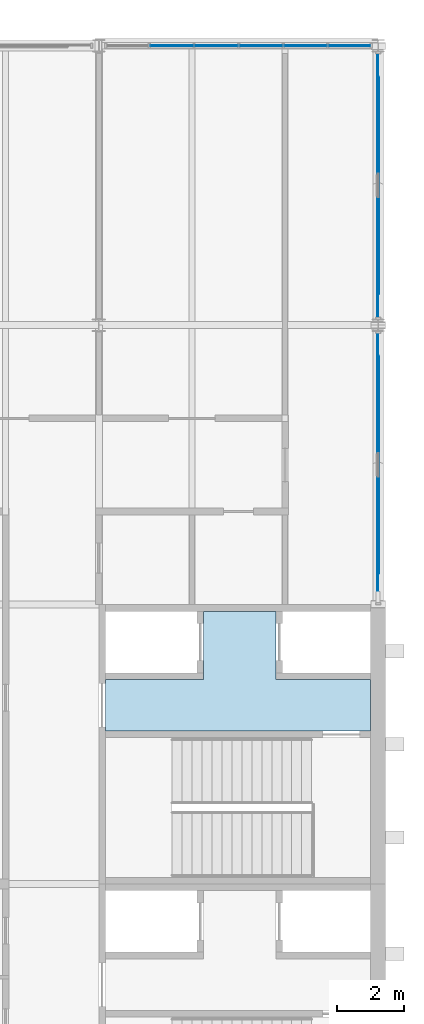
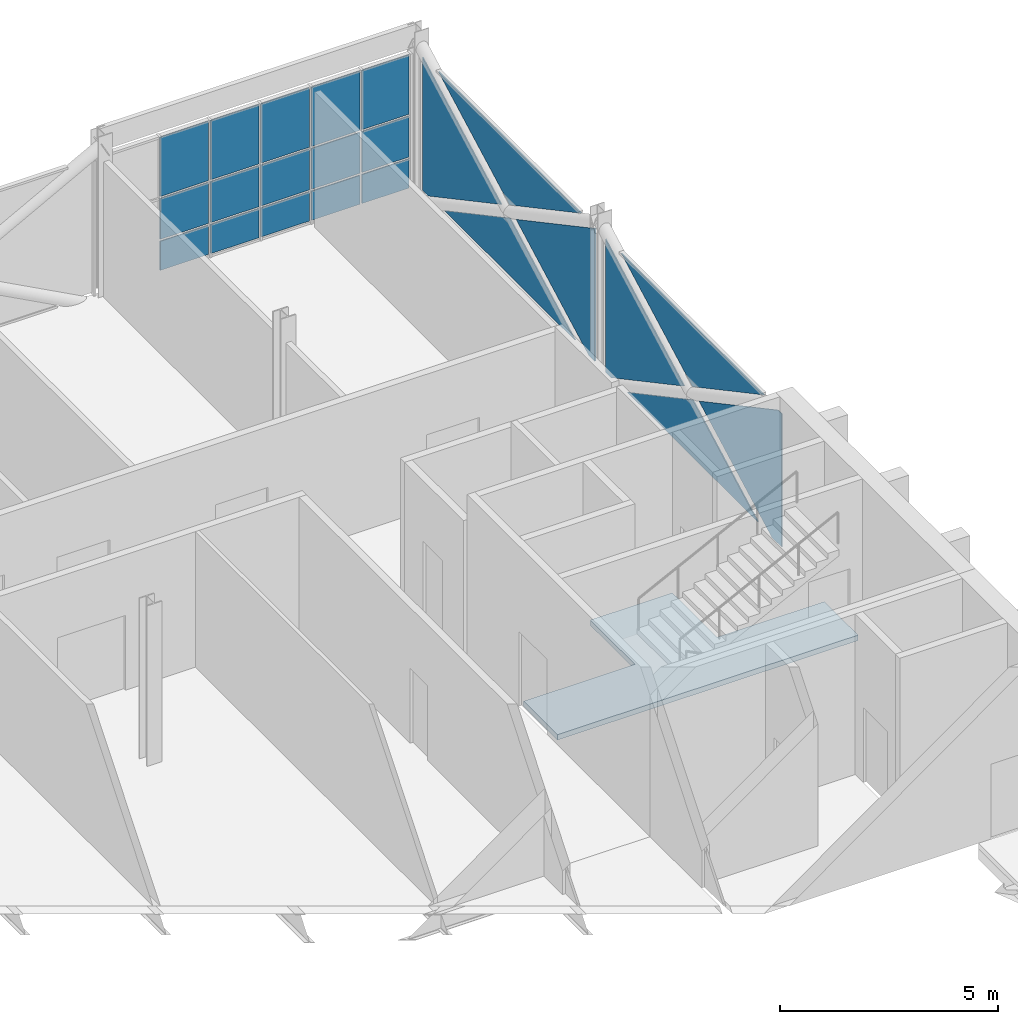
# One storey, part 81 of 129: 23 plates, 1 slab, 3 elements without a shape of their own.
"""IFC4 building model written with IfcOpenShell, lengths in metres."""

from ifc_helpers import new_model, si_unit, direction, frame, origin, origin_2d, place, context, subcontext, project, spatial, polyline, rectangle, outline, extrude, material, layer, layer_set, type_object, element, aggregate, save


model = new_model("IFC4")

# Units and contexts
model_context = context("Model", 3, precision=1e-05, world=origin(), true_north=direction((0.0, 1.0)))
body_context = subcontext(model_context, "Body", "Model", "MODEL_VIEW")
ifc_project = project(units=[si_unit("LENGTHUNIT", "METRE"), si_unit("AREAUNIT", "SQUARE_METRE"), si_unit("VOLUMEUNIT", "CUBIC_METRE"), si_unit("PLANEANGLEUNIT", "RADIAN"), si_unit("MASSUNIT", "GRAM", prefix="KILO")], contexts=[model_context])

# Site, building, storey
site_placement = place(None, origin())
site = spatial("IfcSite", under=ifc_project, at=site_placement, CompositionType="ELEMENT")
building_placement = place(site_placement, origin())
building = spatial("IfcBuilding", under=site, at=building_placement, Name="Ardhachandra Cancer Care Centre", CompositionType="ELEMENT")
storey_placement = place(building_placement, frame((0.0, 0.0, 4.5)))
storey = spatial("IfcBuildingStorey", under=building, at=storey_placement, Name="L01", CompositionType="ELEMENT", Elevation=4.5)

# Slab
ifc_material_1 = material(Name="Concrete M40", Category="concrete")
ifc_layer_1 = layer(ifc_material_1, 0.14990234375)
ifc_layer_set_1 = layer_set([ifc_layer_1], Name="Concrete M40")
slab_type = type_object("IfcSlabType", Name="Core floor slab 150", PredefinedType="FLOOR", material=ifc_layer_set_1)
slab_placement = place(storey_placement, frame((0.0, 0.0, -0.14990234375)))
element("IfcSlab", 1, at=slab_placement, inside=storey, type_object=slab_type, Name="Core floor slab K13 L01 2", PredefinedType="FLOOR", context=body_context, shape_type="SweptSolid", body=[
    extrude(outline(polyline([(139.949951171875, 88.0), (139.949951171875, 86.14990234375), (139.949951171875, 85.949951171875), (137.0, 85.949951171875), (137.0, 84.39990234375), (144.97509765625, 84.39990234375), (144.97509765625, 85.949951171875), (142.125, 85.949951171875), (142.125, 86.14990234375), (142.125, 88.0), (139.949951171875, 88.0)])), origin(), (0.0, 0.0, 1.0), 0.14990234375),
])

# Curtain wall, plates
ifc_material_2 = material(Name="Aluminium extrusion", Category="aluminium")
ifc_layer_2 = layer(ifc_material_2, 0.14990234375)
ifc_layer_set_2 = layer_set([ifc_layer_2], Name="Aluminium extrusion")
curtain_wall_type = type_object("IfcCurtainWallType", Name="Curtain wall run", PredefinedType="NOTDEFINED", material=ifc_layer_set_2)
curtain_wall_1_placement = place(storey_placement, origin())
curtain_wall_1 = element("IfcCurtainWall", 2, at=curtain_wall_1_placement, inside=storey, type_object=curtain_wall_type, Name="Curtain wall L01 e/0145200_0088200", PredefinedType="NOTDEFINED")
ifc_material_3 = material(Name="Low-iron double-glazed unit")
ifc_layer_3 = layer(ifc_material_3, 0.028076171875)
ifc_layer_set_3 = layer_set([ifc_layer_3], Name="Low-iron double-glazed unit")
plate_type_1 = type_object("IfcPlateType", Name="Curtain wall glazing 28", PredefinedType="CURTAIN_PANEL", material=ifc_layer_set_3)
plate_1_placement = place(storey_placement, frame((145.199951171875, 96.35791015625, 0.06005859375), z_axis=(-1.0, 0.0, 0.0), x_axis=(0.0, -1.0, 0.0)))
plate_1 = element("IfcPlate", 3, at=plate_1_placement, type_object=plate_type_1, Name="CW panel 1.1", PredefinedType="CURTAIN_PANEL", context=body_context, shape_type="SweptSolid", body=[
    extrude(outline(polyline([(0.0, 0.0), (0.271484375, 0.0), (3.61279296875, 1.7900390625), (0.0, 3.725341796875), (0.0, 0.0)])), origin(), (0.0, 0.0, 1.0), 0.028076171875),
])
plate_2_placement = place(storey_placement, frame((145.199951171875, 95.67626953125, 3.7900390625), z_axis=(-1.0, 0.0, 0.0), x_axis=(0.0, -0.881487781758, -0.472206830332)))
plate_2 = element("IfcPlate", 4, at=plate_2_placement, type_object=plate_type_1, Name="CW panel 1.1", PredefinedType="CURTAIN_PANEL", context=body_context, shape_type="SweptSolid", body=[
    extrude(outline(polyline([(0.0, 0.0), (3.716796875, 0.0), (5.77587890625, 3.09423828125), (0.0, 0.0)])), frame((0.0, 0.0, -0.028076171875)), (0.0, 0.0, 1.0), 0.028076171875),
])
plate_3_placement = place(storey_placement, frame((145.199951171875, 88.260009765625, 0.06005859375), z_axis=(-1.0, 0.0, 0.0), x_axis=(0.0, 0.0, 1.0)))
plate_3 = element("IfcPlate", 5, at=plate_3_placement, type_object=plate_type_1, Name="CW panel 1.1", PredefinedType="CURTAIN_PANEL", context=body_context, shape_type="SweptSolid", body=[
    extrude(outline(polyline([(0.0, 0.0), (3.72998046875, 0.0), (3.72998046875, 0.173583984375), (1.7900390625, 3.794921875), (0.0, 0.45361328125), (0.0, 0.0)])), origin(), (0.0, 0.0, 1.0), 0.028076171875),
])
plate_4_placement = place(storey_placement, frame((145.199951171875, 89.40380859375, 0.06005859375), z_axis=(-1.0, 0.0, 0.0), x_axis=(0.0, 0.88148851251, 0.472205466203)))
plate_4 = element("IfcPlate", 6, at=plate_4_placement, type_object=plate_type_1, Name="CW panel 1.1", PredefinedType="CURTAIN_PANEL", context=body_context, shape_type="SweptSolid", body=[
    extrude(outline(polyline([(0.0, 0.0), (3.39892578125, 0.0), (5.2822265625, 2.82958984375), (0.0, 0.0)])), frame((0.0, 0.0, -0.028076171875)), (0.0, 0.0, 1.0), 0.028076171875),
])
aggregate(curtain_wall_1, [plate_1, plate_2, plate_3, plate_4])

curtain_wall_2_placement = place(storey_placement, origin())
curtain_wall_2 = element("IfcCurtainWall", 7, at=curtain_wall_2_placement, inside=storey, type_object=curtain_wall_type, Name="Curtain wall L01 e/0145200_0096600", PredefinedType="NOTDEFINED")
plate_5_placement = place(storey_placement, frame((145.199951171875, 104.758056640625, 0.06005859375), z_axis=(-1.0, 0.0, 0.0), x_axis=(0.0, -1.0, 0.0)))
plate_5 = element("IfcPlate", 8, at=plate_5_placement, type_object=plate_type_1, Name="CW panel 1.1", PredefinedType="CURTAIN_PANEL", context=body_context, shape_type="SweptSolid", body=[
    extrude(outline(polyline([(0.0, 0.0), (0.271728515625, 0.0), (3.613037109375, 1.7900390625), (0.0, 3.725341796875), (0.0, 0.0)])), origin(), (0.0, 0.0, 1.0), 0.028076171875),
])
plate_6_placement = place(storey_placement, frame((145.199951171875, 104.076171875, 3.7900390625), z_axis=(-1.0, 0.0, 0.0), x_axis=(0.0, -0.881473134172, -0.472234172559)))
plate_6 = element("IfcPlate", 9, at=plate_6_placement, type_object=plate_type_1, Name="CW panel 1.1", PredefinedType="CURTAIN_PANEL", context=body_context, shape_type="SweptSolid", body=[
    extrude(outline(polyline([(0.0, 0.0), (3.716552734375, 0.0), (5.77587890625, 3.09423828125), (0.0, 0.0)])), frame((0.0, 0.0, -0.028076171875)), (0.0, 0.0, 1.0), 0.028076171875),
])
plate_7_placement = place(storey_placement, frame((145.199951171875, 96.842041015625, 0.06005859375), z_axis=(-1.0, 0.0, 0.0), x_axis=(0.0, 0.0, 1.0)))
plate_7 = element("IfcPlate", 10, at=plate_7_placement, type_object=plate_type_1, Name="CW panel 1.1", PredefinedType="CURTAIN_PANEL", context=body_context, shape_type="SweptSolid", body=[
    extrude(outline(polyline([(0.0, 0.0), (3.725341796875, 0.0), (1.7900390625, 3.61279296875), (0.0, 0.271484375), (0.0, 0.0)])), origin(), (0.0, 0.0, 1.0), 0.028076171875),
])
plate_8_placement = place(storey_placement, frame((145.199951171875, 97.8037109375, 0.06005859375), z_axis=(-1.0, 0.0, 0.0), x_axis=(0.0, 0.881504527331, 0.472175569354)))
plate_8 = element("IfcPlate", 11, at=plate_8_placement, type_object=plate_type_1, Name="CW panel 1.1", PredefinedType="CURTAIN_PANEL", context=body_context, shape_type="SweptSolid", body=[
    extrude(outline(polyline([(0.0, 0.0), (3.399169921875, 0.0), (5.282470703125, 2.82958984375), (0.0, 0.0)])), frame((0.0, 0.0, -0.028076171875)), (0.0, 0.0, 1.0), 0.028076171875),
])
aggregate(curtain_wall_2, [plate_5, plate_6, plate_7, plate_8])

curtain_wall_3_placement = place(storey_placement, origin())
curtain_wall_3 = element("IfcCurtainWall", 12, at=curtain_wall_3_placement, inside=storey, type_object=curtain_wall_type, Name="Curtain wall L01 n/0136800_0105000", PredefinedType="NOTDEFINED")
plate_9_placement = place(storey_placement, frame((138.99267578125, 105.0, 0.93017578125), z_axis=(0.0, 0.0, 1.0), x_axis=(1.0, 0.0, 0.0)))
plate_9 = element("IfcPlate", 13, at=plate_9_placement, type_object=plate_type_1, Name="CW panel 2.2", PredefinedType="CURTAIN_PANEL", context=body_context, shape_type="SweptSolid", body=[
    extrude(rectangle(XDim=1.278076171875, YDim=0.028076171875, at=origin_2d()), origin(), (0.0, 0.0, 1.0), 1.139892578125),
])
plate_10_placement = place(storey_placement, frame((138.99267578125, 105.0, 2.1298828125), z_axis=(0.0, 0.0, 1.0), x_axis=(1.0, 0.0, 0.0)))
plate_10 = element("IfcPlate", 14, at=plate_10_placement, type_object=plate_type_1, Name="CW panel 2.3", PredefinedType="CURTAIN_PANEL", context=body_context, shape_type="SweptSolid", body=[
    extrude(rectangle(XDim=1.278076171875, YDim=0.028076171875, at=origin_2d()), origin(), (0.0, 0.0, 1.0), 1.659912109375),
])
plate_11_placement = place(storey_placement, frame((140.330810546875, 105.0, 0.93017578125), z_axis=(0.0, 0.0, 1.0), x_axis=(1.0, 0.0, 0.0)))
plate_11 = element("IfcPlate", 15, at=plate_11_placement, type_object=plate_type_1, Name="CW panel 3.2", PredefinedType="CURTAIN_PANEL", context=body_context, shape_type="SweptSolid", body=[
    extrude(rectangle(XDim=1.278076171875, YDim=0.028076171875, at=origin_2d()), origin(), (0.0, 0.0, 1.0), 1.139892578125),
])
plate_12_placement = place(storey_placement, frame((140.330810546875, 105.0, 2.1298828125), z_axis=(0.0, 0.0, 1.0), x_axis=(1.0, 0.0, 0.0)))
plate_12 = element("IfcPlate", 16, at=plate_12_placement, type_object=plate_type_1, Name="CW panel 3.3", PredefinedType="CURTAIN_PANEL", context=body_context, shape_type="SweptSolid", body=[
    extrude(rectangle(XDim=1.278076171875, YDim=0.028076171875, at=origin_2d()), origin(), (0.0, 0.0, 1.0), 1.659912109375),
])
plate_13_placement = place(storey_placement, frame((141.669189453125, 105.0, 0.93017578125), z_axis=(0.0, 0.0, 1.0), x_axis=(1.0, 0.0, 0.0)))
plate_13 = element("IfcPlate", 17, at=plate_13_placement, type_object=plate_type_1, Name="CW panel 4.2", PredefinedType="CURTAIN_PANEL", context=body_context, shape_type="SweptSolid", body=[
    extrude(rectangle(XDim=1.278076171875, YDim=0.028076171875, at=origin_2d()), origin(), (0.0, 0.0, 1.0), 1.139892578125),
])
plate_14_placement = place(storey_placement, frame((141.669189453125, 105.0, 2.1298828125), z_axis=(0.0, 0.0, 1.0), x_axis=(1.0, 0.0, 0.0)))
plate_14 = element("IfcPlate", 18, at=plate_14_placement, type_object=plate_type_1, Name="CW panel 4.3", PredefinedType="CURTAIN_PANEL", context=body_context, shape_type="SweptSolid", body=[
    extrude(rectangle(XDim=1.278076171875, YDim=0.028076171875, at=origin_2d()), origin(), (0.0, 0.0, 1.0), 1.659912109375),
])
plate_15_placement = place(storey_placement, frame((143.00732421875, 105.0, 0.93017578125), z_axis=(0.0, 0.0, 1.0), x_axis=(1.0, 0.0, 0.0)))
plate_15 = element("IfcPlate", 19, at=plate_15_placement, type_object=plate_type_1, Name="CW panel 5.2", PredefinedType="CURTAIN_PANEL", context=body_context, shape_type="SweptSolid", body=[
    extrude(rectangle(XDim=1.278076171875, YDim=0.028076171875, at=origin_2d()), origin(), (0.0, 0.0, 1.0), 1.139892578125),
])
plate_16_placement = place(storey_placement, frame((143.00732421875, 105.0, 2.1298828125), z_axis=(0.0, 0.0, 1.0), x_axis=(1.0, 0.0, 0.0)))
plate_16 = element("IfcPlate", 20, at=plate_16_placement, type_object=plate_type_1, Name="CW panel 5.3", PredefinedType="CURTAIN_PANEL", context=body_context, shape_type="SweptSolid", body=[
    extrude(rectangle(XDim=1.278076171875, YDim=0.028076171875, at=origin_2d()), origin(), (0.0, 0.0, 1.0), 1.659912109375),
])
plate_17_placement = place(storey_placement, frame((144.330322265625, 105.0, 0.93017578125), z_axis=(0.0, 0.0, 1.0), x_axis=(1.0, 0.0, 0.0)))
plate_17 = element("IfcPlate", 21, at=plate_17_placement, type_object=plate_type_1, Name="CW panel 6.2", PredefinedType="CURTAIN_PANEL", context=body_context, shape_type="SweptSolid", body=[
    extrude(rectangle(XDim=1.248046875, YDim=0.028076171875, at=origin_2d()), origin(), (0.0, 0.0, 1.0), 1.139892578125),
])
plate_18_placement = place(storey_placement, frame((144.330322265625, 105.0, 2.1298828125), z_axis=(0.0, 0.0, 1.0), x_axis=(1.0, 0.0, 0.0)))
plate_18 = element("IfcPlate", 22, at=plate_18_placement, type_object=plate_type_1, Name="CW panel 6.3", PredefinedType="CURTAIN_PANEL", context=body_context, shape_type="SweptSolid", body=[
    extrude(rectangle(XDim=1.248046875, YDim=0.028076171875, at=origin_2d()), origin(), (0.0, 0.0, 1.0), 1.659912109375),
])
ifc_material_4 = material(Name="Aluminium composite spandrel panel", Category="aluminium")
ifc_layer_4 = layer(ifc_material_4, 0.028076171875)
ifc_layer_set_4 = layer_set([ifc_layer_4], Name="Aluminium composite spandrel panel")
plate_type_2 = type_object("IfcPlateType", Name="Curtain wall spandrel panel 28", PredefinedType="CURTAIN_PANEL", material=ifc_layer_set_4)
plate_19_placement = place(storey_placement, frame((138.99267578125, 105.0, 0.06005859375), z_axis=(0.0, 0.0, 1.0), x_axis=(1.0, 0.0, 0.0)))
plate_19 = element("IfcPlate", 23, at=plate_19_placement, type_object=plate_type_2, Name="CW panel 2.1", PredefinedType="CURTAIN_PANEL", context=body_context, shape_type="SweptSolid", body=[
    extrude(rectangle(XDim=1.278076171875, YDim=0.028076171875, at=origin_2d()), origin(), (0.0, 0.0, 1.0), 0.81005859375),
])
plate_20_placement = place(storey_placement, frame((140.330810546875, 105.0, 0.06005859375), z_axis=(0.0, 0.0, 1.0), x_axis=(1.0, 0.0, 0.0)))
plate_20 = element("IfcPlate", 24, at=plate_20_placement, type_object=plate_type_2, Name="CW panel 3.1", PredefinedType="CURTAIN_PANEL", context=body_context, shape_type="SweptSolid", body=[
    extrude(rectangle(XDim=1.278076171875, YDim=0.028076171875, at=origin_2d()), origin(), (0.0, 0.0, 1.0), 0.81005859375),
])
plate_21_placement = place(storey_placement, frame((141.669189453125, 105.0, 0.06005859375), z_axis=(0.0, 0.0, 1.0), x_axis=(1.0, 0.0, 0.0)))
plate_21 = element("IfcPlate", 25, at=plate_21_placement, type_object=plate_type_2, Name="CW panel 4.1", PredefinedType="CURTAIN_PANEL", context=body_context, shape_type="SweptSolid", body=[
    extrude(rectangle(XDim=1.278076171875, YDim=0.028076171875, at=origin_2d()), origin(), (0.0, 0.0, 1.0), 0.81005859375),
])
plate_22_placement = place(storey_placement, frame((143.00732421875, 105.0, 0.06005859375), z_axis=(0.0, 0.0, 1.0), x_axis=(1.0, 0.0, 0.0)))
plate_22 = element("IfcPlate", 26, at=plate_22_placement, type_object=plate_type_2, Name="CW panel 5.1", PredefinedType="CURTAIN_PANEL", context=body_context, shape_type="SweptSolid", body=[
    extrude(rectangle(XDim=1.278076171875, YDim=0.028076171875, at=origin_2d()), origin(), (0.0, 0.0, 1.0), 0.81005859375),
])
plate_23_placement = place(storey_placement, frame((144.330322265625, 105.0, 0.06005859375), z_axis=(0.0, 0.0, 1.0), x_axis=(1.0, 0.0, 0.0)))
plate_23 = element("IfcPlate", 27, at=plate_23_placement, type_object=plate_type_2, Name="CW panel 6.1", PredefinedType="CURTAIN_PANEL", context=body_context, shape_type="SweptSolid", body=[
    extrude(rectangle(XDim=1.248046875, YDim=0.028076171875, at=origin_2d()), origin(), (0.0, 0.0, 1.0), 0.81005859375),
])
aggregate(curtain_wall_3, [plate_19, plate_9, plate_10, plate_20, plate_11, plate_12, plate_21, plate_13, plate_14, plate_22, plate_15, plate_16, plate_23, plate_17, plate_18])

save(model, "model.ifc")
